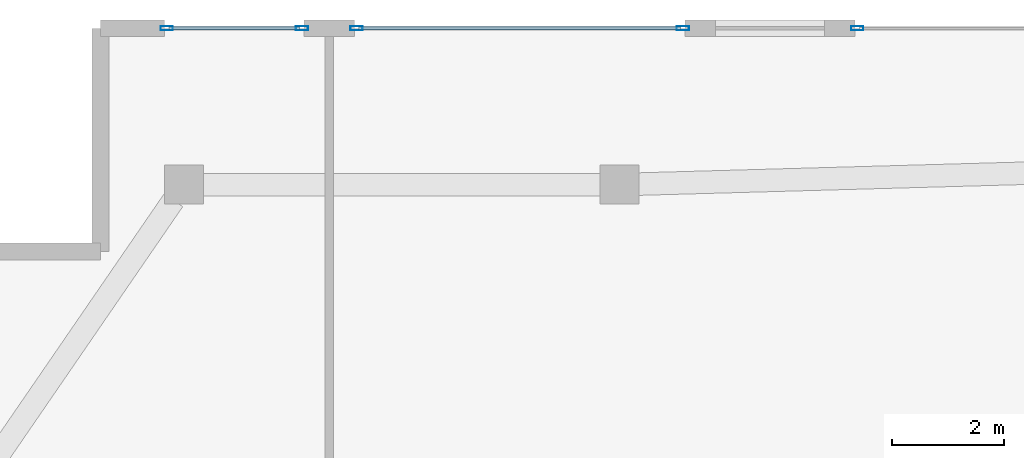
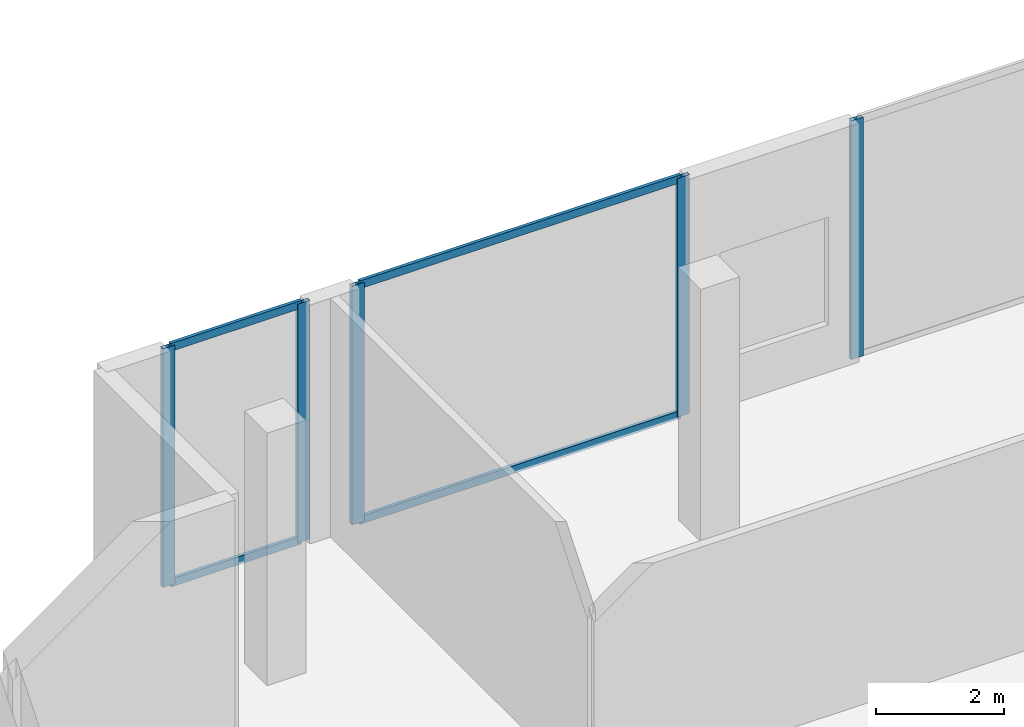
# One storey, part 16 of 33: 9 members, 3 elements without a shape of their own.
"""IFC4 building model written with IfcOpenShell, lengths in metres."""

from ifc_helpers import new_model, si_unit, direction, frame, origin, origin_2d, place, context, subcontext, project, spatial, hollow_rectangle, extrude, material, layer, layer_set, material_profile, profile_set, type_object, element, aggregate, save


model = new_model("IFC4")

# Units and contexts
model_context = context("Model", 3, precision=1e-05, world=origin(), true_north=direction((0.0, 1.0)))
body_context = subcontext(model_context, "Body", "Model", "MODEL_VIEW")
ifc_project = project(units=[si_unit("LENGTHUNIT", "METRE"), si_unit("AREAUNIT", "SQUARE_METRE"), si_unit("VOLUMEUNIT", "CUBIC_METRE"), si_unit("PLANEANGLEUNIT", "RADIAN"), si_unit("MASSUNIT", "GRAM", prefix="KILO")], contexts=[model_context])

# Site, building, storey
site_placement = place(None, origin())
site = spatial("IfcSite", under=ifc_project, at=site_placement, CompositionType="ELEMENT")
building_placement = place(site_placement, origin())
building = spatial("IfcBuilding", under=site, at=building_placement, Name="Zuhayl Quay Hotel", CompositionType="ELEMENT")
storey_placement = place(building_placement, frame((0.0, 0.0, 18.0)))
storey = spatial("IfcBuildingStorey", under=building, at=storey_placement, Name="L03", CompositionType="ELEMENT", Elevation=18.0)

# Curtain wall, members
ifc_material_1 = material(Name="Anodised Aluminium 6063-T6", Category="aluminium")
ifc_layer = layer(ifc_material_1, 0.199951171875, Name="Anodised Aluminium 6063-T6", Category="aluminium")
ifc_layer_set = layer_set([ifc_layer], Name="Anodised Aluminium 6063-T6")
curtain_wall_type = type_object("IfcCurtainWallType", Name="CW_SYS_POD", PredefinedType="USERDEFINED", material=ifc_layer_set)
curtain_wall_1_placement = place(storey_placement, origin())
curtain_wall_1 = element("IfcCurtainWall", 1, at=curtain_wall_1_placement, inside=storey, type_object=curtain_wall_type, Name="L03 Curtain Wall ENV_L03_E05_CW1", ObjectType="UNITISED CURTAIN WALL", PredefinedType="USERDEFINED")
ifc_material_2 = material(Name="Black-anodised aluminium 6063-T6", Category="aluminium")
ifc_material_profile_1 = material_profile(ifc_material_2, hollow_rectangle(XDim=0.074951171875, YDim=0.219970703125, WallThickness=0.00390625, at=origin_2d()), Name="ALU220X75")
ifc_profile_set_1 = profile_set([ifc_material_profile_1], Name="Black-anodised aluminium 6063-T6")
member_type_1 = type_object("IfcMemberType", Name="MB_CW_MUL_220", PredefinedType="MULLION", material=ifc_profile_set_1)
member_1_placement = place(storey_placement, frame((-30.8125, 25.0, 0.0), z_axis=(0.0, 0.0, 1.0), x_axis=(0.0, 1.0, 0.0)))
member_1 = element("IfcMember", 2, at=member_1_placement, type_object=member_type_1, Name="CW-POD mullion 1", PredefinedType="MULLION", context=body_context, shape_type="SweptSolid", body=[
    extrude(hollow_rectangle(XDim=0.074951171875, YDim=0.219970703125, WallThickness=0.00390625, at=origin_2d()), origin(), (0.0, 0.0, 1.0), 4.5400390625),
])
member_2_placement = place(storey_placement, frame((-28.387451171875, 25.0, 0.0), z_axis=(0.0, 0.0, 1.0), x_axis=(0.0, 1.0, 0.0)))
member_2 = element("IfcMember", 3, at=member_2_placement, type_object=member_type_1, Name="CW-POD mullion 2", PredefinedType="MULLION", context=body_context, shape_type="SweptSolid", body=[
    extrude(hollow_rectangle(XDim=0.074951171875, YDim=0.219970703125, WallThickness=0.00390625, at=origin_2d()), origin(), (0.0, 0.0, 1.0), 4.5400390625),
])

curtain_wall_2_placement = place(storey_placement, origin())
curtain_wall_2 = element("IfcCurtainWall", 4, at=curtain_wall_2_placement, inside=storey, type_object=curtain_wall_type, Name="L03 Curtain Wall ENV_L03_E05_CW2", ObjectType="UNITISED CURTAIN WALL", PredefinedType="USERDEFINED")
member_3_placement = place(storey_placement, frame((-27.41259765625, 25.0, 0.0), z_axis=(0.0, 0.0, 1.0), x_axis=(0.0, 1.0, 0.0)))
member_3 = element("IfcMember", 5, at=member_3_placement, type_object=member_type_1, Name="CW-POD mullion 1", PredefinedType="MULLION", context=body_context, shape_type="SweptSolid", body=[
    extrude(hollow_rectangle(XDim=0.074951171875, YDim=0.219970703125, WallThickness=0.00390625, at=origin_2d()), origin(), (0.0, 0.0, 1.0), 4.5400390625),
])
member_4_placement = place(storey_placement, frame((-21.5625, 25.0, 0.0), z_axis=(0.0, 0.0, 1.0), x_axis=(0.0, 1.0, 0.0)))
member_4 = element("IfcMember", 6, at=member_4_placement, type_object=member_type_1, Name="CW-POD mullion 2", PredefinedType="MULLION", context=body_context, shape_type="SweptSolid", body=[
    extrude(hollow_rectangle(XDim=0.074951171875, YDim=0.219970703125, WallThickness=0.00390625, at=origin_2d()), origin(), (0.0, 0.0, 1.0), 4.5400390625),
])

# Curtain wall, member
curtain_wall_3_placement = place(storey_placement, origin())
curtain_wall_3 = element("IfcCurtainWall", 7, at=curtain_wall_3_placement, inside=storey, type_object=curtain_wall_type, Name="L03 Curtain Wall ENV_L03_E05_CW3", ObjectType="UNITISED CURTAIN WALL", PredefinedType="USERDEFINED")
member_5_placement = place(storey_placement, frame((-18.4375, 25.0, 0.0), z_axis=(0.0, 0.0, 1.0), x_axis=(0.0, 1.0, 0.0)))
member_5 = element("IfcMember", 8, at=member_5_placement, type_object=member_type_1, Name="CW-POD mullion 1", PredefinedType="MULLION", context=body_context, shape_type="SweptSolid", body=[
    extrude(hollow_rectangle(XDim=0.074951171875, YDim=0.219970703125, WallThickness=0.00390625, at=origin_2d()), origin(), (0.0, 0.0, 1.0), 4.5400390625),
])
aggregate(curtain_wall_3, [member_5])

# Member
ifc_material_profile_2 = material_profile(ifc_material_2, hollow_rectangle(XDim=0.06005859375, YDim=0.14990234375, WallThickness=0.00341796875, at=origin_2d()), Name="ALU150X60")
ifc_profile_set_2 = profile_set([ifc_material_profile_2], Name="Black-anodised aluminium 6063-T6")
member_type_2 = type_object("IfcMemberType", Name="MB_CW_TRN_150", PredefinedType="USERDEFINED", material=ifc_profile_set_2)
member_6_placement = place(storey_placement, frame((-30.77490234375, 25.0, 0.030029296875), z_axis=(1.0, 0.0, 0.0), x_axis=(0.0, 1.0, 0.0)))
member_6 = element("IfcMember", 9, at=member_6_placement, type_object=member_type_2, Name="CW-POD transom 1.1", ObjectType="TRANSOM", PredefinedType="USERDEFINED", context=body_context, shape_type="SweptSolid", body=[
    extrude(hollow_rectangle(XDim=0.06005859375, YDim=0.14990234375, WallThickness=0.00341796875, at=origin_2d()), origin(), (0.0, 0.0, 1.0), 2.349853515625),
])

member_7_placement = place(storey_placement, frame((-30.77490234375, 25.0, 4.510009765625), z_axis=(1.0, 0.0, 0.0), x_axis=(0.0, 1.0, 0.0)))
member_7 = element("IfcMember", 10, at=member_7_placement, type_object=member_type_2, Name="CW-POD transom 1.2", ObjectType="TRANSOM", PredefinedType="USERDEFINED", context=body_context, shape_type="SweptSolid", body=[
    extrude(hollow_rectangle(XDim=0.06005859375, YDim=0.14990234375, WallThickness=0.00341796875, at=origin_2d()), origin(), (0.0, 0.0, 1.0), 2.349853515625),
])

aggregate(curtain_wall_1, [member_1, member_2, member_6, member_7])

member_8_placement = place(storey_placement, frame((-27.375, 25.0, 0.030029296875), z_axis=(1.0, 0.0, 0.0), x_axis=(0.0, 1.0, 0.0)))
member_8 = element("IfcMember", 11, at=member_8_placement, type_object=member_type_2, Name="CW-POD transom 1.1", ObjectType="TRANSOM", PredefinedType="USERDEFINED", context=body_context, shape_type="SweptSolid", body=[
    extrude(hollow_rectangle(XDim=0.06005859375, YDim=0.14990234375, WallThickness=0.00341796875, at=origin_2d()), origin(), (0.0, 0.0, 1.0), 5.77490234375),
])

member_9_placement = place(storey_placement, frame((-27.375, 25.0, 4.510009765625), z_axis=(1.0, 0.0, 0.0), x_axis=(0.0, 1.0, 0.0)))
member_9 = element("IfcMember", 12, at=member_9_placement, type_object=member_type_2, Name="CW-POD transom 1.2", ObjectType="TRANSOM", PredefinedType="USERDEFINED", context=body_context, shape_type="SweptSolid", body=[
    extrude(hollow_rectangle(XDim=0.06005859375, YDim=0.14990234375, WallThickness=0.00341796875, at=origin_2d()), origin(), (0.0, 0.0, 1.0), 5.77490234375),
])

aggregate(curtain_wall_2, [member_3, member_4, member_8, member_9])

save(model, "model.ifc")
